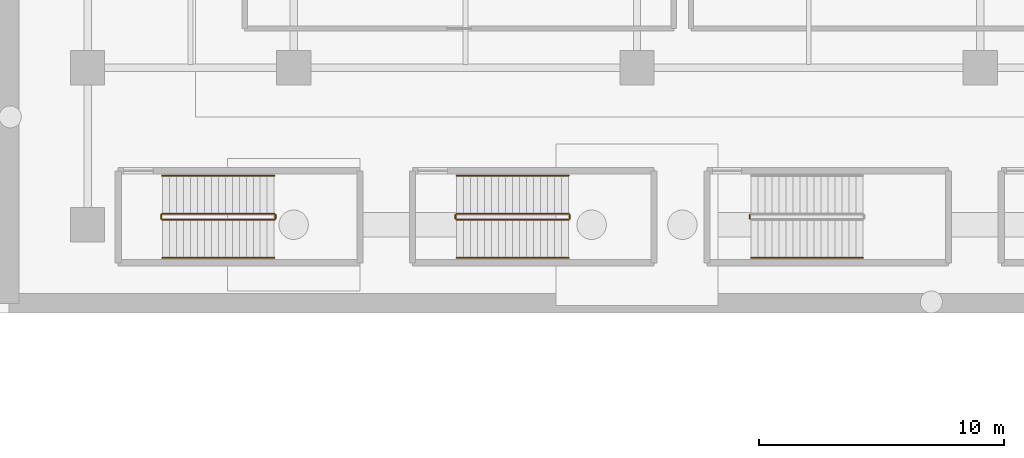
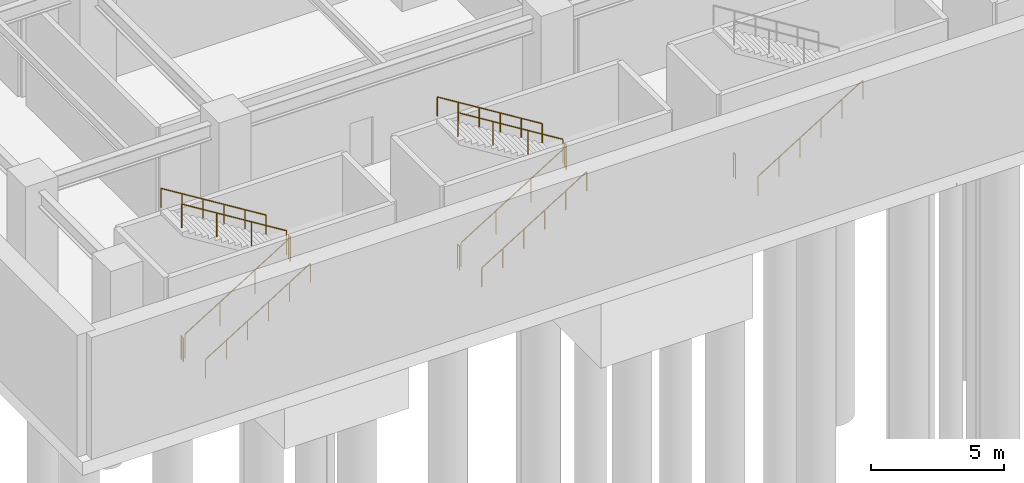
# One storey, part 31 of 37: 14 railings.
"""IFC4 building model written with IfcOpenShell, lengths in metres."""

import ifcopenshell
import ifcopenshell.guid

model = None  # the IFC model being written
_history = None  # IfcOwnerHistory: only IFC2X3 demands one
_inside = {}  # id of a spatial element -> (the spatial element, [elements in it])
_under = {}  # id of a project, library or spatial element -> (it, [spatial elements below it])
_declared = {}  # id of a project -> (the project, [libraries it declares])
_typed = {}  # id of a type object -> (the type object, [elements of that type])
_made_of = {}  # id of a material, layer set ... -> (it, [elements and type objects made of it])


def new_model(schema):
    """Start an empty IFC model of exactly this schema.

    Asked for "IFC4X3", IfcOpenShell would pick the latest addendum, in which some entities
    have other attributes; the version numbers below select the first issue.
    IFC2X3 requires an IfcOwnerHistory on every rooted entity: one is made here for all.
    """
    global model, _history
    if schema == "IFC4X3":
        model = ifcopenshell.file(schema_version=(4, 3, 0, 0))
    else:
        model = ifcopenshell.file(schema=schema)
    _inside.clear()
    _under.clear()
    _declared.clear()
    _typed.clear()
    _made_of.clear()
    _history = None
    if model.schema == "IFC2X3":
        org = make("IfcOrganization", Name="unknown")
        user = make(
            "IfcPersonAndOrganization",
            ThePerson=make("IfcPerson", FamilyName="unknown"),
            TheOrganization=org,
        )
        app = make(
            "IfcApplication",
            ApplicationDeveloper=org,
            Version="unknown",
            ApplicationFullName="unknown",
            ApplicationIdentifier="unknown",
        )
        _history = make(
            "IfcOwnerHistory",
            OwningUser=user,
            OwningApplication=app,
            ChangeAction="ADDED",
            CreationDate=0,
        )
    return model


def make(cls, **values):
    """One entity of the class cls with the attributes given. An attribute that is None is left unset."""
    return model.create_entity(
        cls, **{name: value for name, value in values.items() if value is not None}
    )


def rooted(cls, **values):
    """An entity with a GlobalId (a new one), such as an element, a storey or a relation."""
    return make(cls, GlobalId=ifcopenshell.guid.new(), OwnerHistory=_history, **values)


def si_unit(unit_type, name, prefix=None):
    """IfcSIUnit, for example si_unit("LENGTHUNIT", "METRE", prefix="MILLI")."""
    return make("IfcSIUnit", UnitType=unit_type, Prefix=prefix, Name=name)


def assignment(units):
    """IfcUnitAssignment: the units of a project."""
    return None if units is None else make("IfcUnitAssignment", Units=units)


def point(xyz):
    """IfcCartesianPoint."""
    return None if xyz is None else make("IfcCartesianPoint", Coordinates=xyz)


def direction(xyz):
    """IfcDirection."""
    return None if xyz is None else make("IfcDirection", DirectionRatios=xyz)


def frame(location, z_axis=None, x_axis=None):
    """IfcAxis2Placement3D, a coordinate frame: its origin and axes. An axis left out is left unset."""
    return make(
        "IfcAxis2Placement3D",
        Location=point(location),
        Axis=direction(z_axis),
        RefDirection=direction(x_axis),
    )


def frame_2d(location, x_axis=None):
    """IfcAxis2Placement2D, a coordinate frame in the plane: its origin and x axis."""
    return make(
        "IfcAxis2Placement2D", Location=point(location), RefDirection=direction(x_axis)
    )


def origin():
    """The frame at (0, 0, 0) with its axes left unset."""
    return frame((0.0, 0.0, 0.0))


def origin_2d():
    """The frame at (0, 0) in the plane with its x axis left unset."""
    return frame_2d((0.0, 0.0))


def place(relative_to, where):
    """IfcLocalPlacement: puts the frame where relative to a parent placement (None: the world)."""
    return make(
        "IfcLocalPlacement", PlacementRelTo=relative_to, RelativePlacement=where
    )


def context(
    kind, dimensions, precision=None, world=None, true_north=None, identifier=None
):
    """IfcGeometricRepresentationContext, for example the 3D "Model" context."""
    return make(
        "IfcGeometricRepresentationContext",
        ContextIdentifier=identifier,
        ContextType=kind,
        CoordinateSpaceDimension=dimensions,
        Precision=precision,
        WorldCoordinateSystem=world,
        TrueNorth=true_north,
    )


def subcontext(parent, identifier, kind, view, scale=None):
    """IfcGeometricRepresentationSubContext, for example "Body" below "Model"."""
    return make(
        "IfcGeometricRepresentationSubContext",
        ContextIdentifier=identifier,
        ContextType=kind,
        ParentContext=parent,
        TargetScale=scale,
        TargetView=view,
    )


def project(units=None, contexts=None):
    """IfcProject with its units and contexts."""
    return rooted(
        "IfcProject",
        Name="project",
        RepresentationContexts=contexts,
        UnitsInContext=assignment(units),
    )


def spatial(cls, under=None, at=None, **own):
    """A site, building, storey or space (cls), placed at a placement, below another one or the project."""
    s = rooted(cls, ObjectPlacement=at, **own)
    if under is not None:
        _under.setdefault(under.id(), (under, []))[1].append(s)
    return s


def profile(cls, at=None, kind="AREA", **sizes):
    """A parametric profile (cls). Its sizes go by their IFC names, for example OverallWidth=200.0."""
    return make(cls, ProfileType=kind, Position=at, **sizes)


def circle(**sizes):
    """IfcCircleProfileDef."""
    return profile("IfcCircleProfileDef", **sizes)


def extrude(swept, where, along, depth):
    """IfcExtrudedAreaSolid: the profile swept, set in the frame where, extruded along a direction by depth."""
    return make(
        "IfcExtrudedAreaSolid",
        SweptArea=swept,
        Position=where,
        ExtrudedDirection=direction(along),
        Depth=depth,
    )


def shape(context_of_items, identifier, shape_type, items):
    """IfcShapeRepresentation: the items that make up one representation, for example the "Body"."""
    return make(
        "IfcShapeRepresentation",
        ContextOfItems=context_of_items,
        RepresentationIdentifier=identifier,
        RepresentationType=shape_type,
        Items=items,
    )


def material(Name=None, Category=None):
    """IfcMaterial."""
    return make("IfcMaterial", Name=Name, Category=Category)


def made_of(thing, what):
    """Note that an element or type object is made of a material, layer set ...; save() writes the relation."""
    if what is not None:
        _made_of.setdefault(what.id(), (what, []))[1].append(thing)
    return thing


def type_object(cls, material=None, **own):
    """A type object (cls), such as IfcWallType, which elements share."""
    return made_of(rooted(cls, **own), material)


def element(
    cls,
    number,
    at=None,
    inside=None,
    cuts=None,
    type_object=None,
    material=None,
    context=None,
    identifier="Body",
    shape_type=None,
    held_by="IfcProductDefinitionShape",
    body=None,
    shapes=None,
    **own,
):
    """One element of the class cls, such as IfcWall. Its Tag is "e" and its number.

    at: its placement. inside: the storey or other place that contains it. cuts: it is an
    opening in that element (IfcRelVoidsElement). A single representation is given by context,
    identifier, shape_type and body (its items); several are given by shapes. held_by: the class
    of the entity that holds the representations. save() writes the other relations.
    """
    e = rooted(cls, Tag="e%d" % number, ObjectPlacement=at, **own)
    if body is not None:
        shapes = [shape(context, identifier, shape_type, body)]
    if shapes is not None:
        e.Representation = make(held_by, Representations=shapes)
    if inside is not None:
        _inside.setdefault(inside.id(), (inside, []))[1].append(e)
    if cuts is not None:
        rooted(
            "IfcRelVoidsElement", RelatingBuildingElement=cuts, RelatedOpeningElement=e
        )
    if type_object is not None:
        _typed.setdefault(type_object.id(), (type_object, []))[1].append(e)
    return made_of(e, material)


def aggregate(whole, parts):
    """IfcRelAggregates: a whole, such as a stair, and the parts it consists of."""
    return rooted("IfcRelAggregates", RelatingObject=whole, RelatedObjects=parts)


def save(model, path):
    """Write the relations noted so far, then the file.

    IfcRelAggregates (storeys below a building ...), IfcRelContainedInSpatialStructure (elements
    in a storey), IfcRelDefinesByType, IfcRelAssociatesMaterial and IfcRelDeclares: one each for
    every whole, place, type object, material and project.
    """
    for whole, parts in _under.values():
        aggregate(whole, parts)
    for where, things in _inside.values():
        rooted(
            "IfcRelContainedInSpatialStructure",
            RelatedElements=things,
            RelatingStructure=where,
        )
    for kind, things in _typed.values():
        rooted("IfcRelDefinesByType", RelatedObjects=things, RelatingType=kind)
    for what, things in _made_of.values():
        rooted("IfcRelAssociatesMaterial", RelatedObjects=things, RelatingMaterial=what)
    for by, libraries in _declared.values():
        rooted("IfcRelDeclares", RelatingContext=by, RelatedDefinitions=libraries)
    model.write(path)


model = new_model("IFC4")

# Units and contexts
model_context = context("Model", 3, precision=1e-05, world=origin(), true_north=direction((0.0, 1.0)))
body_context = subcontext(model_context, "Body", "Model", "MODEL_VIEW")
ifc_project = project(units=[si_unit("LENGTHUNIT", "METRE"), si_unit("AREAUNIT", "SQUARE_METRE"), si_unit("VOLUMEUNIT", "CUBIC_METRE"), si_unit("PLANEANGLEUNIT", "RADIAN"), si_unit("MASSUNIT", "GRAM", prefix="KILO")], contexts=[model_context])

# Site, building, storey
site_placement = place(None, origin())
site = spatial("IfcSite", under=ifc_project, at=site_placement, CompositionType="ELEMENT")
building_placement = place(site_placement, origin())
building = spatial("IfcBuilding", under=site, at=building_placement, Name="Narakoshi Arena Tower", CompositionType="ELEMENT")
storey_placement = place(building_placement, frame((0.0, 0.0, -6.0)))
storey = spatial("IfcBuildingStorey", under=building, at=storey_placement, Name="B01", CompositionType="ELEMENT", Elevation=-6.0)

# Railings
ifc_material_1 = material(Name="Clear low-iron laminated structural glass", Category="glass")
railing_type_1 = type_object("IfcRailingType", Name="RL-BAL-1100", PredefinedType="BALUSTRADE", material=ifc_material_1)
railing_1_placement = place(storey_placement, frame((6.64990234375, 3.800048828125, 0.176513671875)))
element("IfcRailing", 1, at=railing_1_placement, inside=storey, type_object=railing_type_1, Name="B01 AST1 stair guard 1", PredefinedType="BALUSTRADE", context=body_context, shape_type="SweptSolid", body=[
    extrude(circle(Radius=0.02392578125, at=origin_2d()), frame((0.0, 0.0, 1.09619140625), z_axis=(0.850215668316, 0.0, 0.526434532824), x_axis=(0.0, 1.0, 0.0)), (0.0, 0.0, 1.0), 5.363525390625),
    extrude(circle(Radius=0.02099609375, at=origin_2d()), origin(), (0.0, 0.0, 1.0), 1.072021484375),
    extrude(circle(Radius=0.02099609375, at=origin_2d()), frame((1.52001953125, 0.0, 0.941162109375)), (0.0, 0.0, 1.0), 1.072021484375),
    extrude(circle(Radius=0.02099609375, at=origin_2d()), frame((3.0400390625, 0.0, 1.88232421875)), (0.0, 0.0, 1.0), 1.072021484375),
    extrude(circle(Radius=0.02099609375, at=origin_2d()), frame((4.56005859375, 0.0, 2.823486328125)), (0.0, 0.0, 1.0), 1.072021484375),
])
railing_2_placement = place(storey_placement, frame((11.260009765625, 3.85009765625, 3.0)))
element("IfcRailing", 2, at=railing_2_placement, inside=storey, type_object=railing_type_1, Name="B01 AST1 stair guard 2", PredefinedType="BALUSTRADE", context=body_context, shape_type="SweptSolid", body=[
    extrude(circle(Radius=0.02392578125, at=origin_2d()), frame((0.0, 0.0, 1.09619140625), z_axis=(0.0, 1.0, 0.0), x_axis=(-1.0, 0.0, 0.0)), (0.0, 0.0, 1.0), 0.14990234375),
    extrude(circle(Radius=0.02099609375, at=origin_2d()), origin(), (0.0, 0.0, 1.0), 1.072021484375),
    extrude(circle(Radius=0.02099609375, at=origin_2d()), frame((0.0, 0.14990234375, 0.0)), (0.0, 0.0, 1.0), 1.072021484375),
])
railing_3_placement = place(storey_placement, frame((11.2099609375, 4.050048828125, 3.176513671875)))
element("IfcRailing", 3, at=railing_3_placement, inside=storey, type_object=railing_type_1, Name="B01 AST1 stair guard 3", PredefinedType="BALUSTRADE", context=body_context, shape_type="SweptSolid", body=[
    extrude(circle(Radius=0.02392578125, at=origin_2d()), frame((0.0, 0.0, 1.09619140625), z_axis=(-0.850215668316, 0.0, 0.526434532824), x_axis=(0.0, -1.0, 0.0)), (0.0, 0.0, 1.0), 5.363525390625),
    extrude(circle(Radius=0.02099609375, at=origin_2d()), origin(), (0.0, 0.0, 1.0), 1.072021484375),
    extrude(circle(Radius=0.02099609375, at=origin_2d()), frame((-1.52001953125, 0.0, 0.941162109375)), (0.0, 0.0, 1.0), 1.072021484375),
    extrude(circle(Radius=0.02099609375, at=origin_2d()), frame((-3.0400390625, 0.0, 1.88232421875)), (0.0, 0.0, 1.0), 1.072021484375),
    extrude(circle(Radius=0.02099609375, at=origin_2d()), frame((-4.56005859375, 0.0, 2.823486328125)), (0.0, 0.0, 1.0), 1.072021484375),
])
railing_4_placement = place(storey_placement, frame((6.60009765625, 3.85009765625, 0.0)))
element("IfcRailing", 4, at=railing_4_placement, inside=storey, type_object=railing_type_1, Name="B01 AST1 stair guard 4", PredefinedType="BALUSTRADE", context=body_context, shape_type="SweptSolid", body=[
    extrude(circle(Radius=0.02392578125, at=origin_2d()), frame((0.0, 0.0, 1.09619140625), z_axis=(0.0, 1.0, 0.0), x_axis=(-1.0, 0.0, 0.0)), (0.0, 0.0, 1.0), 0.14990234375),
    extrude(circle(Radius=0.02099609375, at=origin_2d()), origin(), (0.0, 0.0, 1.0), 1.072021484375),
    extrude(circle(Radius=0.02099609375, at=origin_2d()), frame((0.0, 0.14990234375, 0.0)), (0.0, 0.0, 1.0), 1.072021484375),
])
railing_5_placement = place(storey_placement, frame((18.64990234375, 3.800048828125, 0.176513671875)))
element("IfcRailing", 5, at=railing_5_placement, inside=storey, type_object=railing_type_1, Name="B01 AST2 stair guard 1", PredefinedType="BALUSTRADE", context=body_context, shape_type="SweptSolid", body=[
    extrude(circle(Radius=0.02392578125, at=origin_2d()), frame((0.0, 0.0, 1.09619140625), z_axis=(0.850215668316, 0.0, 0.526434532824), x_axis=(0.0, 1.0, 0.0)), (0.0, 0.0, 1.0), 5.363525390625),
    extrude(circle(Radius=0.02099609375, at=origin_2d()), origin(), (0.0, 0.0, 1.0), 1.072021484375),
    extrude(circle(Radius=0.02099609375, at=origin_2d()), frame((1.52001953125, 0.0, 0.941162109375)), (0.0, 0.0, 1.0), 1.072021484375),
    extrude(circle(Radius=0.02099609375, at=origin_2d()), frame((3.0400390625, 0.0, 1.88232421875)), (0.0, 0.0, 1.0), 1.072021484375),
    extrude(circle(Radius=0.02099609375, at=origin_2d()), frame((4.56005859375, 0.0, 2.823486328125)), (0.0, 0.0, 1.0), 1.072021484375),
])
railing_6_placement = place(storey_placement, frame((23.260009765625, 3.85009765625, 3.0)))
element("IfcRailing", 6, at=railing_6_placement, inside=storey, type_object=railing_type_1, Name="B01 AST2 stair guard 2", PredefinedType="BALUSTRADE", context=body_context, shape_type="SweptSolid", body=[
    extrude(circle(Radius=0.02392578125, at=origin_2d()), frame((0.0, 0.0, 1.09619140625), z_axis=(0.0, 1.0, 0.0), x_axis=(-1.0, 0.0, 0.0)), (0.0, 0.0, 1.0), 0.14990234375),
    extrude(circle(Radius=0.02099609375, at=origin_2d()), origin(), (0.0, 0.0, 1.0), 1.072021484375),
    extrude(circle(Radius=0.02099609375, at=origin_2d()), frame((0.0, 0.14990234375, 0.0)), (0.0, 0.0, 1.0), 1.072021484375),
])
railing_7_placement = place(storey_placement, frame((23.2099609375, 4.050048828125, 3.176513671875)))
element("IfcRailing", 7, at=railing_7_placement, inside=storey, type_object=railing_type_1, Name="B01 AST2 stair guard 3", PredefinedType="BALUSTRADE", context=body_context, shape_type="SweptSolid", body=[
    extrude(circle(Radius=0.02392578125, at=origin_2d()), frame((0.0, 0.0, 1.09619140625), z_axis=(-0.850215668316, 0.0, 0.526434532824), x_axis=(0.0, -1.0, 0.0)), (0.0, 0.0, 1.0), 5.363525390625),
    extrude(circle(Radius=0.02099609375, at=origin_2d()), origin(), (0.0, 0.0, 1.0), 1.072021484375),
    extrude(circle(Radius=0.02099609375, at=origin_2d()), frame((-1.52001953125, 0.0, 0.941162109375)), (0.0, 0.0, 1.0), 1.072021484375),
    extrude(circle(Radius=0.02099609375, at=origin_2d()), frame((-3.0400390625, 0.0, 1.88232421875)), (0.0, 0.0, 1.0), 1.072021484375),
    extrude(circle(Radius=0.02099609375, at=origin_2d()), frame((-4.56005859375, 0.0, 2.823486328125)), (0.0, 0.0, 1.0), 1.072021484375),
])
for number, where, name in (
    (8, (18.60009765625, 3.85009765625, 0.0), "B01 AST2 stair guard 4"),
    (9, (30.60009765625, 3.85009765625, 0.0), "B01 AST3 stair guard 4"),
):
    element("IfcRailing", number, at=place(storey_placement, frame(where)), inside=storey, type_object=railing_type_1, Name=name, PredefinedType="BALUSTRADE", context=body_context, shape_type="SweptSolid", body=[
        extrude(circle(Radius=0.02392578125, at=origin_2d()), frame((0.0, 0.0, 1.09619140625), z_axis=(0.0, 1.0, 0.0), x_axis=(-1.0, 0.0, 0.0)), (0.0, 0.0, 1.0), 0.14990234375),
        extrude(circle(Radius=0.02099609375, at=origin_2d()), origin(), (0.0, 0.0, 1.0), 1.072021484375),
        extrude(circle(Radius=0.02099609375, at=origin_2d()), frame((0.0, 0.14990234375, 0.0)), (0.0, 0.0, 1.0), 1.072021484375),
    ])
ifc_material_2 = material(Name="Brushed bronze stainless steel", Category="steel")
railing_type_2 = type_object("IfcRailingType", Name="RL-HND-900", PredefinedType="HANDRAIL", material=ifc_material_2)
railing_8_placement = place(storey_placement, frame((6.64990234375, 2.25, 0.176513671875)))
element("IfcRailing", 10, at=railing_8_placement, inside=storey, type_object=railing_type_2, Name="B01 AST1 stair handrail 1", PredefinedType="HANDRAIL", context=body_context, shape_type="SweptSolid", body=[
    extrude(circle(Radius=0.02392578125, at=origin_2d()), frame((0.0, 0.0, 0.8759765625), z_axis=(0.850215668316, 0.0, 0.526434532824), x_axis=(0.0, 1.0, 0.0)), (0.0, 0.0, 1.0), 5.363525390625),
    extrude(circle(Radius=0.02099609375, at=origin_2d()), origin(), (0.0, 0.0, 1.0), 0.851806640625),
    extrude(circle(Radius=0.02099609375, at=origin_2d()), frame((0.912109375, 0.0, 0.564697265625)), (0.0, 0.0, 1.0), 0.851806640625),
    extrude(circle(Radius=0.02099609375, at=origin_2d()), frame((1.823974609375, 0.0, 1.12939453125)), (0.0, 0.0, 1.0), 0.851806640625),
    extrude(circle(Radius=0.02099609375, at=origin_2d()), frame((2.736083984375, 0.0, 1.694091796875)), (0.0, 0.0, 1.0), 0.851806640625),
    extrude(circle(Radius=0.02099609375, at=origin_2d()), frame((3.64794921875, 0.0, 2.2587890625)), (0.0, 0.0, 1.0), 0.851806640625),
    extrude(circle(Radius=0.02099609375, at=origin_2d()), frame((4.56005859375, 0.0, 2.823486328125)), (0.0, 0.0, 1.0), 0.851806640625),
])
railing_9_placement = place(storey_placement, frame((11.2099609375, 5.60009765625, 3.176513671875)))
element("IfcRailing", 11, at=railing_9_placement, inside=storey, type_object=railing_type_2, Name="B01 AST1 stair handrail 2", PredefinedType="HANDRAIL", context=body_context, shape_type="SweptSolid", body=[
    extrude(circle(Radius=0.02392578125, at=origin_2d()), frame((0.0, 0.0, 0.8759765625), z_axis=(-0.850215668316, 0.0, 0.526434532824), x_axis=(0.0, -1.0, 0.0)), (0.0, 0.0, 1.0), 5.363525390625),
    extrude(circle(Radius=0.02099609375, at=origin_2d()), origin(), (0.0, 0.0, 1.0), 0.851806640625),
    extrude(circle(Radius=0.02099609375, at=origin_2d()), frame((-0.912109375, 0.0, 0.564697265625)), (0.0, 0.0, 1.0), 0.851806640625),
    extrude(circle(Radius=0.02099609375, at=origin_2d()), frame((-1.823974609375, 0.0, 1.12939453125)), (0.0, 0.0, 1.0), 0.851806640625),
    extrude(circle(Radius=0.02099609375, at=origin_2d()), frame((-2.736083984375, 0.0, 1.694091796875)), (0.0, 0.0, 1.0), 0.851806640625),
    extrude(circle(Radius=0.02099609375, at=origin_2d()), frame((-3.64794921875, 0.0, 2.2587890625)), (0.0, 0.0, 1.0), 0.851806640625),
    extrude(circle(Radius=0.02099609375, at=origin_2d()), frame((-4.56005859375, 0.0, 2.823486328125)), (0.0, 0.0, 1.0), 0.851806640625),
])
railing_10_placement = place(storey_placement, frame((18.64990234375, 2.25, 0.176513671875)))
element("IfcRailing", 12, at=railing_10_placement, inside=storey, type_object=railing_type_2, Name="B01 AST2 stair handrail 1", PredefinedType="HANDRAIL", context=body_context, shape_type="SweptSolid", body=[
    extrude(circle(Radius=0.02392578125, at=origin_2d()), frame((0.0, 0.0, 0.8759765625), z_axis=(0.850215668316, 0.0, 0.526434532824), x_axis=(0.0, 1.0, 0.0)), (0.0, 0.0, 1.0), 5.363525390625),
    extrude(circle(Radius=0.02099609375, at=origin_2d()), origin(), (0.0, 0.0, 1.0), 0.851806640625),
    extrude(circle(Radius=0.02099609375, at=origin_2d()), frame((0.912109375, 0.0, 0.564697265625)), (0.0, 0.0, 1.0), 0.851806640625),
    extrude(circle(Radius=0.02099609375, at=origin_2d()), frame((1.823974609375, 0.0, 1.12939453125)), (0.0, 0.0, 1.0), 0.851806640625),
    extrude(circle(Radius=0.02099609375, at=origin_2d()), frame((2.736083984375, 0.0, 1.694091796875)), (0.0, 0.0, 1.0), 0.851806640625),
    extrude(circle(Radius=0.02099609375, at=origin_2d()), frame((3.64794921875, 0.0, 2.2587890625)), (0.0, 0.0, 1.0), 0.851806640625),
    extrude(circle(Radius=0.02099609375, at=origin_2d()), frame((4.56005859375, 0.0, 2.823486328125)), (0.0, 0.0, 1.0), 0.851806640625),
])
railing_11_placement = place(storey_placement, frame((23.2099609375, 5.60009765625, 3.176513671875)))
element("IfcRailing", 13, at=railing_11_placement, inside=storey, type_object=railing_type_2, Name="B01 AST2 stair handrail 2", PredefinedType="HANDRAIL", context=body_context, shape_type="SweptSolid", body=[
    extrude(circle(Radius=0.02392578125, at=origin_2d()), frame((0.0, 0.0, 0.8759765625), z_axis=(-0.850215668316, 0.0, 0.526434532824), x_axis=(0.0, -1.0, 0.0)), (0.0, 0.0, 1.0), 5.363525390625),
    extrude(circle(Radius=0.02099609375, at=origin_2d()), origin(), (0.0, 0.0, 1.0), 0.851806640625),
    extrude(circle(Radius=0.02099609375, at=origin_2d()), frame((-0.912109375, 0.0, 0.564697265625)), (0.0, 0.0, 1.0), 0.851806640625),
    extrude(circle(Radius=0.02099609375, at=origin_2d()), frame((-1.823974609375, 0.0, 1.12939453125)), (0.0, 0.0, 1.0), 0.851806640625),
    extrude(circle(Radius=0.02099609375, at=origin_2d()), frame((-2.736083984375, 0.0, 1.694091796875)), (0.0, 0.0, 1.0), 0.851806640625),
    extrude(circle(Radius=0.02099609375, at=origin_2d()), frame((-3.64794921875, 0.0, 2.2587890625)), (0.0, 0.0, 1.0), 0.851806640625),
    extrude(circle(Radius=0.02099609375, at=origin_2d()), frame((-4.56005859375, 0.0, 2.823486328125)), (0.0, 0.0, 1.0), 0.851806640625),
])
railing_12_placement = place(storey_placement, frame((30.64990234375, 2.25, 0.176513671875)))
element("IfcRailing", 14, at=railing_12_placement, inside=storey, type_object=railing_type_2, Name="B01 AST3 stair handrail 1", PredefinedType="HANDRAIL", context=body_context, shape_type="SweptSolid", body=[
    extrude(circle(Radius=0.02392578125, at=origin_2d()), frame((0.0, 0.0, 0.8759765625), z_axis=(0.850215668316, 0.0, 0.526434532824), x_axis=(0.0, 1.0, 0.0)), (0.0, 0.0, 1.0), 5.363525390625),
    extrude(circle(Radius=0.02099609375, at=origin_2d()), origin(), (0.0, 0.0, 1.0), 0.851806640625),
    extrude(circle(Radius=0.02099609375, at=origin_2d()), frame((0.912109375, 0.0, 0.564697265625)), (0.0, 0.0, 1.0), 0.851806640625),
    extrude(circle(Radius=0.02099609375, at=origin_2d()), frame((1.823974609375, 0.0, 1.12939453125)), (0.0, 0.0, 1.0), 0.851806640625),
    extrude(circle(Radius=0.02099609375, at=origin_2d()), frame((2.736083984375, 0.0, 1.694091796875)), (0.0, 0.0, 1.0), 0.851806640625),
    extrude(circle(Radius=0.02099609375, at=origin_2d()), frame((3.64794921875, 0.0, 2.2587890625)), (0.0, 0.0, 1.0), 0.851806640625),
    extrude(circle(Radius=0.02099609375, at=origin_2d()), frame((4.56005859375, 0.0, 2.823486328125)), (0.0, 0.0, 1.0), 0.851806640625),
])

save(model, "model.ifc")
